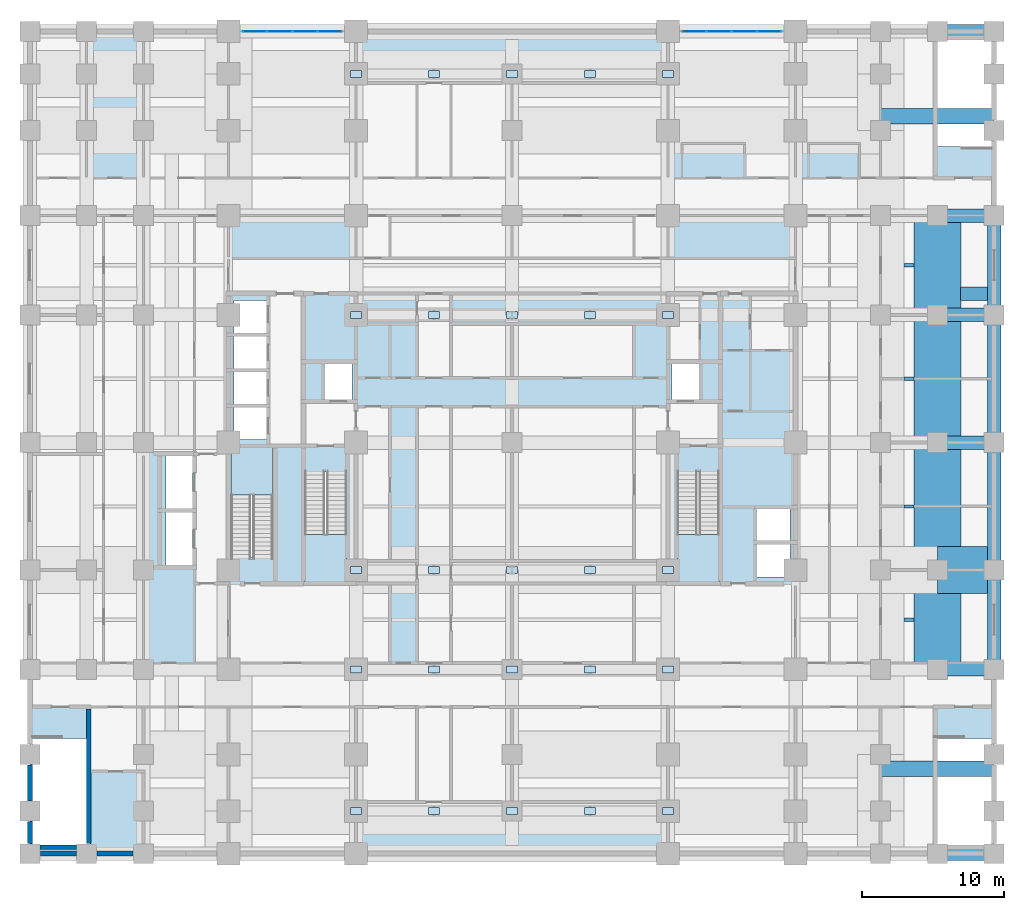
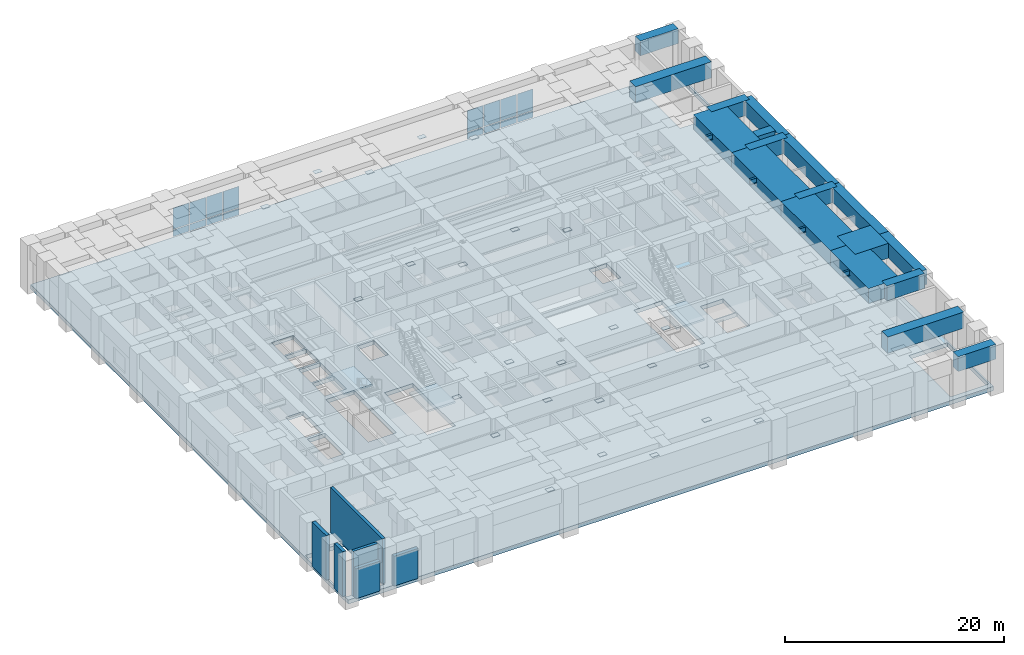
# One storey, part 6 of 22: 41 plates, 22 beams, 6 walls, 4 slabs, 5 elements without a shape of their own.
"""IFC4 building model written with IfcOpenShell, lengths in metres."""

from ifc_helpers import new_model, si_unit, direction, frame, frame_2d, origin, origin_2d, place, context, subcontext, project, spatial, polyline, rectangle, i_section, outline, extrude, material, layer, layer_set, material_profile, profile_set, type_object, element, aggregate, save


model = new_model("IFC4")

# Units and contexts
model_context = context("Model", 3, precision=1e-05, world=origin(), true_north=direction((0.0, 1.0)))
body_context = subcontext(model_context, "Body", "Model", "MODEL_VIEW")
ifc_project = project(units=[si_unit("LENGTHUNIT", "METRE"), si_unit("AREAUNIT", "SQUARE_METRE"), si_unit("VOLUMEUNIT", "CUBIC_METRE"), si_unit("PLANEANGLEUNIT", "RADIAN"), si_unit("MASSUNIT", "GRAM", prefix="KILO")], contexts=[model_context])

# Site, building, storey
site_placement = place(None, origin())
site = spatial("IfcSite", under=ifc_project, at=site_placement, CompositionType="ELEMENT")
building_placement = place(site_placement, origin())
building = spatial("IfcBuilding", under=site, at=building_placement, Name="Zulmaris Gate Convention Tower", CompositionType="ELEMENT")
storey_placement = place(building_placement, frame((0.0, 0.0, 21.760009765625)))
storey = spatial("IfcBuildingStorey", under=building, at=storey_placement, Name="L04", CompositionType="ELEMENT", Elevation=21.760009765625)

# Beams
ifc_material_1 = material(Name="Concrete C80/95", Category="concrete")
ifc_material_profile_1 = material_profile(ifc_material_1, rectangle(XDim=0.949951171875, YDim=1.64990234375, at=origin_2d()), Name="RC TRANSFER 950x1650")
ifc_profile_set_1 = profile_set([ifc_material_profile_1], Name="Concrete C80/95")
beam_type_1 = type_object("IfcBeamType", Name="BM-XFER1650", PredefinedType="BEAM", material=ifc_profile_set_1)
for number, where, z_axis, x_axis, name in (
    (1, (30.0, -29.0, 4.1650390625), (1.0, 0.0, 0.0), (0.0, 1.0, 0.0), "L04 Beam XFRNGX-L04--29.0-9"),
    (2, (30.0, 29.0, 4.1650390625), (1.0, 0.0, 0.0), (0.0, 1.0, 0.0), "L04 Beam XFRNGX-L04-+29.0-9"),
):
    element("IfcBeam", number, at=place(storey_placement, frame(where, z_axis=z_axis, x_axis=x_axis)), inside=storey, type_object=beam_type_1, Name=name, PredefinedType="BEAM", context=body_context, shape_type="SweptSolid", body=[
        extrude(rectangle(XDim=0.949951171875, YDim=1.64990234375, at=origin_2d()), origin(), (0.0, 0.0, 1.0), 4.0),
    ])
beam_1_placement = place(storey_placement, frame((34.0, -16.0, 4.1650390625), z_axis=(0.0, 1.0, 0.0), x_axis=(-1.0, 0.0, 0.0)))
element("IfcBeam", 3, at=beam_1_placement, inside=storey, type_object=beam_type_1, Name="L04 Beam XFRNGY-L04-+34.0-4", PredefinedType="BEAM", context=body_context, shape_type="SweptSolid", body=[
    extrude(rectangle(XDim=0.949951171875, YDim=1.64990234375, at=origin_2d()), origin(), (0.0, 0.0, 1.0), 7.0),
])
for number, where, z_axis, x_axis, name in (
    (4, (34.0, -9.0, 4.1650390625), (0.0, 1.0, 0.0), (-1.0, 0.0, 0.0), "L04 Beam XFRNGY-L04-+34.0-5"),
    (5, (34.0, 0.0, 4.1650390625), (0.0, 1.0, 0.0), (-1.0, 0.0, 0.0), "L04 Beam XFRNGY-L04-+34.0-6"),
):
    element("IfcBeam", number, at=place(storey_placement, frame(where, z_axis=z_axis, x_axis=x_axis)), inside=storey, type_object=beam_type_1, Name=name, PredefinedType="BEAM", context=body_context, shape_type="SweptSolid", body=[
        extrude(rectangle(XDim=0.949951171875, YDim=1.64990234375, at=origin_2d()), origin(), (0.0, 0.0, 1.0), 9.0),
    ])
beam_2_placement = place(storey_placement, frame((34.0, 9.0, 4.1650390625), z_axis=(0.0, 1.0, 0.0), x_axis=(-1.0, 0.0, 0.0)))
element("IfcBeam", 6, at=beam_2_placement, inside=storey, type_object=beam_type_1, Name="L04 Beam XFRNGY-L04-+34.0-7", PredefinedType="BEAM", context=body_context, shape_type="SweptSolid", body=[
    extrude(rectangle(XDim=0.949951171875, YDim=1.64990234375, at=origin_2d()), origin(), (0.0, 0.0, 1.0), 7.0),
])
for number, where, z_axis, x_axis, name in (
    (7, (30.0, -16.0, 4.1650390625), (1.0, 0.0, 0.0), (0.0, 1.0, 0.0), "L04 Beam XFSPX-L04--16.0-10"),
    (8, (30.0, 0.0, 4.1650390625), (1.0, 0.0, 0.0), (0.0, 1.0, 0.0), "L04 Beam XFSPX-L04-+0.0-10"),
    (9, (30.0, 9.0, 4.1650390625), (1.0, 0.0, 0.0), (0.0, 1.0, 0.0), "L04 Beam XFSPX-L04-+9.0-10"),
    (10, (30.0, 16.0, 4.1650390625), (1.0, 0.0, 0.0), (0.0, 1.0, 0.0), "L04 Beam XFSPX-L04-+16.0-10"),
):
    element("IfcBeam", number, at=place(storey_placement, frame(where, z_axis=z_axis, x_axis=x_axis)), inside=storey, type_object=beam_type_1, Name=name, PredefinedType="BEAM", context=body_context, shape_type="SweptSolid", body=[
        extrude(rectangle(XDim=0.949951171875, YDim=1.64990234375, at=origin_2d()), origin(), (0.0, 0.0, 1.0), 4.0),
    ])
beam_3_placement = place(storey_placement, frame((31.637939453125, 10.5, 4.1650390625), z_axis=(1.0, 0.0, 0.0), x_axis=(0.0, 1.0, 0.0)))
element("IfcBeam", 11, at=beam_3_placement, inside=storey, type_object=beam_type_1, Name="L04 Beam XFERX-L04-+10.50-9", PredefinedType="BEAM", context=body_context, shape_type="SweptSolid", body=[
    extrude(rectangle(XDim=0.949951171875, YDim=1.64990234375, at=origin_2d()), origin(), (0.0, 0.0, 1.0), 1.899169921875),
])
ifc_material_profile_2 = material_profile(ifc_material_1, rectangle(XDim=1.10009765625, YDim=1.800048828125, at=origin_2d()), Name="RC TRANSFER 1100x1800")
ifc_profile_set_2 = profile_set([ifc_material_profile_2], Name="Concrete C80/95")
beam_type_2 = type_object("IfcBeamType", Name="BM-XFER1800", PredefinedType="BEAM", material=ifc_profile_set_2)
for number, where, z_axis, x_axis, name in (
    (12, (26.0, -23.0, 4.090087890625), (1.0, 0.0, 0.0), (0.0, 1.0, 0.0), "L04 Beam XFL04-E23-S"),
    (13, (26.0, 23.0, 4.090087890625), (1.0, 0.0, 0.0), (0.0, 1.0, 0.0), "L04 Beam XFL04-E23-N"),
):
    element("IfcBeam", number, at=place(storey_placement, frame(where, z_axis=z_axis, x_axis=x_axis)), inside=storey, type_object=beam_type_2, Name=name, PredefinedType="BEAM", context=body_context, shape_type="SweptSolid", body=[
        extrude(rectangle(XDim=1.10009765625, YDim=1.800048828125, at=origin_2d()), origin(), (0.0, 0.0, 1.0), 8.0),
    ])
ifc_material_profile_3 = material_profile(ifc_material_1, rectangle(XDim=3.300048828125, YDim=1.64990234375, at=origin_2d()), Name="RC TRANSFER 3300x1650")
ifc_profile_set_3 = profile_set([ifc_material_profile_3], Name="Concrete C80/95")
beam_type_3 = type_object("IfcBeamType", Name="BM-XFERCAP", PredefinedType="BEAM", material=ifc_profile_set_3)
beam_4_placement = place(storey_placement, frame((30.0, -16.0, 4.1650390625), z_axis=(0.0, 1.0, 0.0), x_axis=(-1.0, 0.0, 0.0)))
element("IfcBeam", 14, at=beam_4_placement, inside=storey, type_object=beam_type_3, Name="L04 Beam XFSPY-L04-+30.0-2", PredefinedType="BEAM", context=body_context, shape_type="SweptSolid", body=[
    extrude(rectangle(XDim=3.300048828125, YDim=1.64990234375, at=origin_2d()), origin(), (0.0, 0.0, 1.0), 7.0),
])
for number, where, z_axis, x_axis, name in (
    (15, (30.0, -9.0, 4.1650390625), (0.0, 1.0, 0.0), (-1.0, 0.0, 0.0), "L04 Beam XFSPY-L04-+30.0-3"),
    (16, (30.0, 0.0, 4.1650390625), (0.0, 1.0, 0.0), (-1.0, 0.0, 0.0), "L04 Beam XFSPY-L04-+30.0-4"),
):
    element("IfcBeam", number, at=place(storey_placement, frame(where, z_axis=z_axis, x_axis=x_axis)), inside=storey, type_object=beam_type_3, Name=name, PredefinedType="BEAM", context=body_context, shape_type="SweptSolid", body=[
        extrude(rectangle(XDim=3.300048828125, YDim=1.64990234375, at=origin_2d()), origin(), (0.0, 0.0, 1.0), 9.0),
    ])
beam_5_placement = place(storey_placement, frame((30.0, 9.0, 4.1650390625), z_axis=(0.0, 1.0, 0.0), x_axis=(-1.0, 0.0, 0.0)))
element("IfcBeam", 17, at=beam_5_placement, inside=storey, type_object=beam_type_3, Name="L04 Beam XFSPY-L04-+30.0-5", PredefinedType="BEAM", context=body_context, shape_type="SweptSolid", body=[
    extrude(rectangle(XDim=3.300048828125, YDim=1.64990234375, at=origin_2d()), origin(), (0.0, 0.0, 1.0), 7.0),
])
beam_6_placement = place(storey_placement, frame((30.0, -9.0, 4.1650390625), z_axis=(1.0, 0.0, 0.0), x_axis=(0.0, 1.0, 0.0)))
element("IfcBeam", 18, at=beam_6_placement, inside=storey, type_object=beam_type_3, Name="L04 Beam XFSPX-L04--9.0-10", PredefinedType="BEAM", context=body_context, shape_type="SweptSolid", body=[
    extrude(rectangle(XDim=3.300048828125, YDim=1.64990234375, at=origin_2d()), origin(), (0.0, 0.0, 1.0), 4.0),
])
ifc_material_2 = material(Name="Steel S355", Category="steel")
ifc_material_profile_4 = material_profile(ifc_material_2, i_section(OverallWidth=0.219970703125, OverallDepth=0.60009765625, WebThickness=0.011962890625, FlangeThickness=0.01904296875, FilletRadius=0.02392578125, at=origin_2d()), Name="IPE 600")
ifc_profile_set_4 = profile_set([ifc_material_profile_4], Name="Steel S355")
beam_type_4 = type_object("IfcBeamType", Name="JT-IPE600", PredefinedType="JOIST", material=ifc_profile_set_4)
for number, where, z_axis, x_axis, name in (
    (19, (27.64990234375, -12.5, 4.68798828125), (1.0, 0.0, 0.0), (0.0, 1.0, 0.0), "L04 Joist JT-L04-+26_+30--12.5"),
    (20, (27.64990234375, -4.5, 4.68798828125), (1.0, 0.0, 0.0), (0.0, 1.0, 0.0), "L04 Joist JT-L04-+26_+30--4.5"),
    (21, (27.64990234375, 4.5, 4.68798828125), (1.0, 0.0, 0.0), (0.0, 1.0, 0.0), "L04 Joist JT-L04-+26_+30-+4.5"),
    (22, (27.64990234375, 12.5, 4.68798828125), (1.0, 0.0, 0.0), (0.0, 1.0, 0.0), "L04 Joist JT-L04-+26_+30-+12.5"),
):
    element("IfcBeam", number, at=place(storey_placement, frame(where, z_axis=z_axis, x_axis=x_axis)), inside=storey, type_object=beam_type_4, Name=name, PredefinedType="JOIST", context=body_context, shape_type="SweptSolid", body=[
        extrude(i_section(OverallWidth=0.219970703125, OverallDepth=0.60009765625, WebThickness=0.011962890625, FlangeThickness=0.01904296875, FilletRadius=0.02392578125, at=origin_2d()), origin(), (0.0, 0.0, 1.0), 0.7001953125),
    ])

# Curtain wall, plates
ifc_material_3 = material(Name="Anodised Aluminium", Category="aluminium")
curtain_wall_type = type_object("IfcCurtainWallType", Name="CW-03", PredefinedType="NOTDEFINED", material=ifc_material_3)
curtain_wall_1_placement = place(storey_placement, origin())
curtain_wall_1 = element("IfcCurtainWall", 23, at=curtain_wall_1_placement, inside=storey, type_object=curtain_wall_type, Name="CW-03 CW03-L04-N-20_0", PredefinedType="NOTDEFINED")
ifc_material_4 = material(Name="Low-E Double Glazing", Category="glass")
ifc_layer_1 = layer(ifc_material_4, 0.028076171875, Name="Low-E Double Glazing")
ifc_layer_set_1 = layer_set([ifc_layer_1], Name="Low-E Double Glazing")
plate_type_1 = type_object("IfcPlateType", Name="CW-03-VISION", PredefinedType="CURTAIN_PANEL", material=ifc_layer_set_1)
plate_1_placement = place(storey_placement, frame((-12.86376953125, 29.0, 0.0751953125), z_axis=(0.0, 0.0, 1.0), x_axis=(-1.0, 0.0, 0.0)))
plate_1 = element("IfcPlate", 24, at=plate_1_placement, type_object=plate_type_1, Name="CW-03 panel 1.1", PredefinedType="CURTAIN_PANEL", context=body_context, shape_type="SweptSolid", body=[
    extrude(rectangle(XDim=1.657470703125, YDim=0.028076171875, at=origin_2d()), origin(), (0.0, 0.0, 1.0), 0.737548828125),
])
plate_2_placement = place(storey_placement, frame((-12.86376953125, 29.0, 0.8876953125), z_axis=(0.0, 0.0, 1.0), x_axis=(-1.0, 0.0, 0.0)))
plate_2 = element("IfcPlate", 25, at=plate_2_placement, type_object=plate_type_1, Name="CW-03 panel 1.2", PredefinedType="CURTAIN_PANEL", context=body_context, shape_type="SweptSolid", body=[
    extrude(rectangle(XDim=1.657470703125, YDim=0.028076171875, at=origin_2d()), origin(), (0.0, 0.0, 1.0), 2.369384765625),
])
plate_3_placement = place(storey_placement, frame((-14.614990234375, 29.0, 0.0751953125), z_axis=(0.0, 0.0, 1.0), x_axis=(-1.0, 0.0, 0.0)))
plate_3 = element("IfcPlate", 26, at=plate_3_placement, type_object=plate_type_1, Name="CW-03 panel 2.1", PredefinedType="CURTAIN_PANEL", context=body_context, shape_type="SweptSolid", body=[
    extrude(rectangle(XDim=1.695068359375, YDim=0.028076171875, at=origin_2d()), origin(), (0.0, 0.0, 1.0), 0.737548828125),
])
plate_4_placement = place(storey_placement, frame((-14.614990234375, 29.0, 0.8876953125), z_axis=(0.0, 0.0, 1.0), x_axis=(-1.0, 0.0, 0.0)))
plate_4 = element("IfcPlate", 27, at=plate_4_placement, type_object=plate_type_1, Name="CW-03 panel 2.2", PredefinedType="CURTAIN_PANEL", context=body_context, shape_type="SweptSolid", body=[
    extrude(rectangle(XDim=1.695068359375, YDim=0.028076171875, at=origin_2d()), origin(), (0.0, 0.0, 1.0), 2.369384765625),
])
plate_5_placement = place(storey_placement, frame((-16.385009765625, 29.0, 0.0751953125), z_axis=(0.0, 0.0, 1.0), x_axis=(-1.0, 0.0, 0.0)))
plate_5 = element("IfcPlate", 28, at=plate_5_placement, type_object=plate_type_1, Name="CW-03 panel 3.1", PredefinedType="CURTAIN_PANEL", context=body_context, shape_type="SweptSolid", body=[
    extrude(rectangle(XDim=1.695068359375, YDim=0.028076171875, at=origin_2d()), origin(), (0.0, 0.0, 1.0), 0.737548828125),
])
plate_6_placement = place(storey_placement, frame((-16.385009765625, 29.0, 0.8876953125), z_axis=(0.0, 0.0, 1.0), x_axis=(-1.0, 0.0, 0.0)))
plate_6 = element("IfcPlate", 29, at=plate_6_placement, type_object=plate_type_1, Name="CW-03 panel 3.2", PredefinedType="CURTAIN_PANEL", context=body_context, shape_type="SweptSolid", body=[
    extrude(rectangle(XDim=1.695068359375, YDim=0.028076171875, at=origin_2d()), origin(), (0.0, 0.0, 1.0), 2.369384765625),
])
plate_7_placement = place(storey_placement, frame((-18.13623046875, 29.0, 0.0751953125), z_axis=(0.0, 0.0, 1.0), x_axis=(-1.0, 0.0, 0.0)))
plate_7 = element("IfcPlate", 30, at=plate_7_placement, type_object=plate_type_1, Name="CW-03 panel 4.1", PredefinedType="CURTAIN_PANEL", context=body_context, shape_type="SweptSolid", body=[
    extrude(rectangle(XDim=1.657470703125, YDim=0.028076171875, at=origin_2d()), origin(), (0.0, 0.0, 1.0), 0.737548828125),
])
plate_8_placement = place(storey_placement, frame((-18.13623046875, 29.0, 0.8876953125), z_axis=(0.0, 0.0, 1.0), x_axis=(-1.0, 0.0, 0.0)))
plate_8 = element("IfcPlate", 31, at=plate_8_placement, type_object=plate_type_1, Name="CW-03 panel 4.2", PredefinedType="CURTAIN_PANEL", context=body_context, shape_type="SweptSolid", body=[
    extrude(rectangle(XDim=1.657470703125, YDim=0.028076171875, at=origin_2d()), origin(), (0.0, 0.0, 1.0), 2.369384765625),
])
aggregate(curtain_wall_1, [plate_1, plate_2, plate_3, plate_4, plate_5, plate_6, plate_7, plate_8])

curtain_wall_2_placement = place(storey_placement, origin())
curtain_wall_2 = element("IfcCurtainWall", 32, at=curtain_wall_2_placement, inside=storey, type_object=curtain_wall_type, Name="CW-03 CW03-L04-N11_0", PredefinedType="NOTDEFINED")
plate_9_placement = place(storey_placement, frame((18.13623046875, 29.0, 0.0751953125), z_axis=(0.0, 0.0, 1.0), x_axis=(-1.0, 0.0, 0.0)))
plate_9 = element("IfcPlate", 33, at=plate_9_placement, type_object=plate_type_1, Name="CW-03 panel 1.1", PredefinedType="CURTAIN_PANEL", context=body_context, shape_type="SweptSolid", body=[
    extrude(rectangle(XDim=1.657470703125, YDim=0.028076171875, at=origin_2d()), origin(), (0.0, 0.0, 1.0), 0.737548828125),
])
plate_10_placement = place(storey_placement, frame((18.13623046875, 29.0, 0.8876953125), z_axis=(0.0, 0.0, 1.0), x_axis=(-1.0, 0.0, 0.0)))
plate_10 = element("IfcPlate", 34, at=plate_10_placement, type_object=plate_type_1, Name="CW-03 panel 1.2", PredefinedType="CURTAIN_PANEL", context=body_context, shape_type="SweptSolid", body=[
    extrude(rectangle(XDim=1.657470703125, YDim=0.028076171875, at=origin_2d()), origin(), (0.0, 0.0, 1.0), 2.369384765625),
])
plate_11_placement = place(storey_placement, frame((16.385009765625, 29.0, 0.0751953125), z_axis=(0.0, 0.0, 1.0), x_axis=(-1.0, 0.0, 0.0)))
plate_11 = element("IfcPlate", 35, at=plate_11_placement, type_object=plate_type_1, Name="CW-03 panel 2.1", PredefinedType="CURTAIN_PANEL", context=body_context, shape_type="SweptSolid", body=[
    extrude(rectangle(XDim=1.695068359375, YDim=0.028076171875, at=origin_2d()), origin(), (0.0, 0.0, 1.0), 0.737548828125),
])
plate_12_placement = place(storey_placement, frame((16.385009765625, 29.0, 0.8876953125), z_axis=(0.0, 0.0, 1.0), x_axis=(-1.0, 0.0, 0.0)))
plate_12 = element("IfcPlate", 36, at=plate_12_placement, type_object=plate_type_1, Name="CW-03 panel 2.2", PredefinedType="CURTAIN_PANEL", context=body_context, shape_type="SweptSolid", body=[
    extrude(rectangle(XDim=1.695068359375, YDim=0.028076171875, at=origin_2d()), origin(), (0.0, 0.0, 1.0), 2.369384765625),
])
plate_13_placement = place(storey_placement, frame((14.614990234375, 29.0, 0.0751953125), z_axis=(0.0, 0.0, 1.0), x_axis=(-1.0, 0.0, 0.0)))
plate_13 = element("IfcPlate", 37, at=plate_13_placement, type_object=plate_type_1, Name="CW-03 panel 3.1", PredefinedType="CURTAIN_PANEL", context=body_context, shape_type="SweptSolid", body=[
    extrude(rectangle(XDim=1.695068359375, YDim=0.028076171875, at=origin_2d()), origin(), (0.0, 0.0, 1.0), 0.737548828125),
])
plate_14_placement = place(storey_placement, frame((14.614990234375, 29.0, 0.8876953125), z_axis=(0.0, 0.0, 1.0), x_axis=(-1.0, 0.0, 0.0)))
plate_14 = element("IfcPlate", 38, at=plate_14_placement, type_object=plate_type_1, Name="CW-03 panel 3.2", PredefinedType="CURTAIN_PANEL", context=body_context, shape_type="SweptSolid", body=[
    extrude(rectangle(XDim=1.695068359375, YDim=0.028076171875, at=origin_2d()), origin(), (0.0, 0.0, 1.0), 2.369384765625),
])
plate_15_placement = place(storey_placement, frame((12.86376953125, 29.0, 0.0751953125), z_axis=(0.0, 0.0, 1.0), x_axis=(-1.0, 0.0, 0.0)))
plate_15 = element("IfcPlate", 39, at=plate_15_placement, type_object=plate_type_1, Name="CW-03 panel 4.1", PredefinedType="CURTAIN_PANEL", context=body_context, shape_type="SweptSolid", body=[
    extrude(rectangle(XDim=1.657470703125, YDim=0.028076171875, at=origin_2d()), origin(), (0.0, 0.0, 1.0), 0.737548828125),
])
plate_16_placement = place(storey_placement, frame((12.86376953125, 29.0, 0.8876953125), z_axis=(0.0, 0.0, 1.0), x_axis=(-1.0, 0.0, 0.0)))
plate_16 = element("IfcPlate", 40, at=plate_16_placement, type_object=plate_type_1, Name="CW-03 panel 4.2", PredefinedType="CURTAIN_PANEL", context=body_context, shape_type="SweptSolid", body=[
    extrude(rectangle(XDim=1.657470703125, YDim=0.028076171875, at=origin_2d()), origin(), (0.0, 0.0, 1.0), 2.369384765625),
])
aggregate(curtain_wall_2, [plate_9, plate_10, plate_11, plate_12, plate_13, plate_14, plate_15, plate_16])

# Plates
ifc_material_5 = material(Name="Steel S460", Category="steel")
ifc_layer_2 = layer(ifc_material_5, 0.034912109375, Name="Steel S460")
ifc_layer_set_2 = layer_set([ifc_layer_2], Name="Steel S460")
plate_type_2 = type_object("IfcPlateType", Name="NP-GUS-750", PredefinedType="USERDEFINED", material=ifc_layer_set_2)
for number, where, z_axis, x_axis, name in (
    (41, (-11.0, -26.0, 2.4326171875), (0.0, 0.0, 1.0), (1.0, 0.0, 0.0), "L04 Steel Node Plate TR-L04-D1--26-CAP0"),
    (42, (-5.5, -26.0, 4.42236328125), (0.0, 0.0, 1.0), (1.0, 0.0, 0.0), "L04 Steel Node Plate TR-L04-D1--26-CAP1"),
    (43, (0.0, -26.0, 2.4326171875), (0.0, 0.0, 1.0), (1.0, 0.0, 0.0), "L04 Steel Node Plate TR-L04-D2--26-CAP1"),
    (44, (5.5, -26.0, 4.42236328125), (0.0, 0.0, 1.0), (1.0, 0.0, 0.0), "L04 Steel Node Plate TR-L04-D3--26-CAP1"),
    (45, (11.0, -26.0, 2.4326171875), (0.0, 0.0, 1.0), (1.0, 0.0, 0.0), "L04 Steel Node Plate TR-L04-D4--26-CAP1"),
    (46, (-11.0, -16.0, 2.4326171875), (0.0, 0.0, 1.0), (1.0, 0.0, 0.0), "L04 Steel Node Plate TR-L04-D1--16-CAP0"),
    (47, (-5.5, -16.0, 4.42236328125), (0.0, 0.0, 1.0), (1.0, 0.0, 0.0), "L04 Steel Node Plate TR-L04-D1--16-CAP1"),
    (48, (0.0, -16.0, 2.4326171875), (0.0, 0.0, 1.0), (1.0, 0.0, 0.0), "L04 Steel Node Plate TR-L04-D2--16-CAP1"),
    (49, (5.5, -16.0, 4.42236328125), (0.0, 0.0, 1.0), (1.0, 0.0, 0.0), "L04 Steel Node Plate TR-L04-D3--16-CAP1"),
    (50, (11.0, -16.0, 2.4326171875), (0.0, 0.0, 1.0), (1.0, 0.0, 0.0), "L04 Steel Node Plate TR-L04-D4--16-CAP1"),
    (51, (-11.0, -9.0, 2.4326171875), (0.0, 0.0, 1.0), (1.0, 0.0, 0.0), "L04 Steel Node Plate TR-L04-D1--9-CAP0"),
    (52, (-5.5, -9.0, 4.42236328125), (0.0, 0.0, 1.0), (1.0, 0.0, 0.0), "L04 Steel Node Plate TR-L04-D1--9-CAP1"),
    (53, (0.0, -9.0, 2.4326171875), (0.0, 0.0, 1.0), (1.0, 0.0, 0.0), "L04 Steel Node Plate TR-L04-D2--9-CAP1"),
    (54, (5.5, -9.0, 4.42236328125), (0.0, 0.0, 1.0), (1.0, 0.0, 0.0), "L04 Steel Node Plate TR-L04-D3--9-CAP1"),
    (55, (11.0, -9.0, 2.4326171875), (0.0, 0.0, 1.0), (1.0, 0.0, 0.0), "L04 Steel Node Plate TR-L04-D4--9-CAP1"),
    (56, (-11.0, 9.0, 2.4326171875), (0.0, 0.0, 1.0), (1.0, 0.0, 0.0), "L04 Steel Node Plate TR-L04-D1-+9-CAP0"),
    (57, (-5.5, 9.0, 4.42236328125), (0.0, 0.0, 1.0), (1.0, 0.0, 0.0), "L04 Steel Node Plate TR-L04-D1-+9-CAP1"),
    (58, (0.0, 9.0, 2.4326171875), (0.0, 0.0, 1.0), (1.0, 0.0, 0.0), "L04 Steel Node Plate TR-L04-D2-+9-CAP1"),
    (59, (5.5, 9.0, 4.42236328125), (0.0, 0.0, 1.0), (1.0, 0.0, 0.0), "L04 Steel Node Plate TR-L04-D3-+9-CAP1"),
    (60, (11.0, 9.0, 2.4326171875), (0.0, 0.0, 1.0), (1.0, 0.0, 0.0), "L04 Steel Node Plate TR-L04-D4-+9-CAP1"),
    (61, (-11.0, 26.0, 2.4326171875), (0.0, 0.0, 1.0), (1.0, 0.0, 0.0), "L04 Steel Node Plate TR-L04-D1-+26-CAP0"),
    (62, (-5.5, 26.0, 4.42236328125), (0.0, 0.0, 1.0), (1.0, 0.0, 0.0), "L04 Steel Node Plate TR-L04-D1-+26-CAP1"),
    (63, (0.0, 26.0, 2.4326171875), (0.0, 0.0, 1.0), (1.0, 0.0, 0.0), "L04 Steel Node Plate TR-L04-D2-+26-CAP1"),
    (64, (5.5, 26.0, 4.42236328125), (0.0, 0.0, 1.0), (1.0, 0.0, 0.0), "L04 Steel Node Plate TR-L04-D3-+26-CAP1"),
    (65, (11.0, 26.0, 2.4326171875), (0.0, 0.0, 1.0), (1.0, 0.0, 0.0), "L04 Steel Node Plate TR-L04-D4-+26-CAP1"),
):
    element("IfcPlate", number, at=place(storey_placement, frame(where, z_axis=z_axis, x_axis=x_axis)), inside=storey, type_object=plate_type_2, Name=name, ObjectType="GUSSET PLATE", PredefinedType="USERDEFINED", context=body_context, shape_type="SweptSolid", body=[
        extrude(rectangle(XDim=0.75, YDim=0.5, at=origin_2d()), origin(), (0.0, 0.0, 1.0), 0.034912109375),
    ])

# Slab
ifc_material_6 = material(Name="Concrete C60/75", Category="concrete")
ifc_layer_3 = layer(ifc_material_6, 0.449951171875, Name="Concrete C60/75")
ifc_layer_set_3 = layer_set([ifc_layer_3], Name="Concrete C60/75")
slab_type_1 = type_object("IfcSlabType", Name="SL-FLR-450", PredefinedType="FLOOR", material=ifc_layer_set_3)
slab_1_placement = place(storey_placement, frame((0.0, 0.0, -0.449951171875)))
element("IfcSlab", 66, at=slab_1_placement, inside=storey, type_object=slab_type_1, Name="L04 Convention Transfer Floor Slab", PredefinedType="FLOOR", context=body_context, shape_type="SweptSolid", body=[
    extrude(outline(polyline([(-34.0, -29.0), (34.0, -29.0), (34.0, 29.0), (-34.0, 29.0), (-34.0, -29.0)]), holes=[polyline([(-14.6201171875, -2.080078125), (-14.6201171875, -9.85009765625), (-11.659912109375, -9.85009765625), (-11.659912109375, -2.080078125), (-14.6201171875, -2.080078125)]), polyline([(11.659912109375, -2.080078125), (11.659912109375, -9.85009765625), (14.6201171875, -9.85009765625), (14.6201171875, -2.080078125), (11.659912109375, -2.080078125)]), polyline([(-16.860107421875, -8.1201171875), (-16.860107421875, -0.35009765625), (-19.820068359375, -0.35009765625), (-19.820068359375, -8.1201171875), (-16.860107421875, -8.1201171875)]), polyline([(-33.830078125, -20.8798828125), (-33.830078125, -28.449951171875), (-29.780029296875, -28.449951171875), (-29.780029296875, -20.8798828125), (-33.830078125, -20.8798828125)]), polyline([(33.830078125, 20.8798828125), (33.830078125, 28.449951171875), (29.780029296875, 28.449951171875), (29.780029296875, 20.8798828125), (33.830078125, 20.8798828125)]), polyline([(29.780029296875, -20.8798828125), (29.780029296875, -28.449951171875), (33.830078125, -28.449951171875), (33.830078125, -20.8798828125), (29.780029296875, -20.8798828125)]), polyline([(-13.199951171875, 3.0), (-11.300048828125, 3.0), (-11.300048828125, 5.60009765625), (-13.199951171875, 5.60009765625), (-13.199951171875, 3.0)]), polyline([(11.300048828125, 3.0), (13.199951171875, 3.0), (13.199951171875, 5.60009765625), (11.300048828125, 5.60009765625), (11.300048828125, 3.0)]), polyline([(-19.60009765625, 0.199951171875), (-17.300048828125, 0.199951171875), (-17.300048828125, 2.5), (-19.60009765625, 2.5), (-19.60009765625, 0.199951171875)]), polyline([(-19.60009765625, 2.699951171875), (-17.300048828125, 2.699951171875), (-17.300048828125, 5.0), (-19.60009765625, 5.0), (-19.60009765625, 2.699951171875)]), polyline([(-19.60009765625, 5.199951171875), (-17.300048828125, 5.199951171875), (-17.300048828125, 7.5), (-19.60009765625, 7.5), (-19.60009765625, 5.199951171875)]), polyline([(-19.60009765625, 7.699951171875), (-17.300048828125, 7.699951171875), (-17.300048828125, 10.0), (-19.60009765625, 10.0), (-19.60009765625, 7.699951171875)]), polyline([(17.199951171875, -9.5), (19.60009765625, -9.5), (19.60009765625, -7.10009765625), (17.199951171875, -7.10009765625), (17.199951171875, -9.5)]), polyline([(17.199951171875, -7.0), (19.60009765625, -7.0), (19.60009765625, -4.60009765625), (17.199951171875, -4.60009765625), (17.199951171875, -7.0)]), polyline([(-24.39990234375, -8.64990234375), (-22.550048828125, -8.64990234375), (-22.550048828125, -4.949951171875), (-24.39990234375, -4.949951171875), (-24.39990234375, -8.64990234375)]), polyline([(-24.39990234375, -4.64990234375), (-22.550048828125, -4.64990234375), (-22.550048828125, -0.949951171875), (-24.39990234375, -0.949951171875), (-24.39990234375, -4.64990234375)])]), origin(), (0.0, 0.0, 1.0), 0.449951171875),
])

# Stair, slab
ifc_material_7 = material(Name="Concrete C45/55", Category="concrete")
stair_type = type_object("IfcStairType", Name="ST-CORE-DOGLEG", PredefinedType="HALF_TURN_STAIR", material=ifc_material_7)
stair_1_placement = place(storey_placement, origin())
stair_1 = element("IfcStair", 67, at=stair_1_placement, inside=storey, type_object=stair_type, Name="L04 Core Exit Stair ST-1", PredefinedType="HALF_TURN_STAIR")
ifc_layer_4 = layer(ifc_material_7, 0.199951171875, Name="Concrete C45/55")
ifc_layer_set_4 = layer_set([ifc_layer_4], Name="Concrete C45/55")
slab_type_2 = type_object("IfcSlabType", Name="SL-LND-200", PredefinedType="LANDING", material=ifc_layer_set_4)
slab_2_placement = place(storey_placement, frame((0.0, 0.0, 2.52001953125)))
slab_2 = element("IfcSlab", 68, at=slab_2_placement, type_object=slab_type_2, Name="ST-1 landing 1", PredefinedType="LANDING", context=body_context, shape_type="SweptSolid", body=[
    extrude(outline(polyline([(-14.6201171875, -6.5), (-14.6201171875, -9.85009765625), (-11.659912109375, -9.85009765625), (-11.659912109375, -6.5), (-14.6201171875, -6.5)])), origin(), (0.0, 0.0, 1.0), 0.199951171875),
])
aggregate(stair_1, [slab_2])

stair_2_placement = place(storey_placement, origin())
stair_2 = element("IfcStair", 69, at=stair_2_placement, inside=storey, type_object=stair_type, Name="L04 Core Exit Stair ST-2", PredefinedType="HALF_TURN_STAIR")
slab_3_placement = place(storey_placement, frame((0.0, 0.0, 2.52001953125)))
slab_3 = element("IfcSlab", 70, at=slab_3_placement, type_object=slab_type_2, Name="ST-2 landing 1", PredefinedType="LANDING", context=body_context, shape_type="SweptSolid", body=[
    extrude(outline(polyline([(11.659912109375, -6.5), (11.659912109375, -9.85009765625), (14.6201171875, -9.85009765625), (14.6201171875, -6.5), (11.659912109375, -6.5)])), origin(), (0.0, 0.0, 1.0), 0.199951171875),
])
aggregate(stair_2, [slab_3])

stair_3_placement = place(storey_placement, origin())
stair_3 = element("IfcStair", 71, at=stair_3_placement, inside=storey, type_object=stair_type, Name="L04 Core Exit Stair ST-3", PredefinedType="HALF_TURN_STAIR")
slab_4_placement = place(storey_placement, frame((0.0, 0.0, 2.52001953125)))
slab_4 = element("IfcSlab", 72, at=slab_4_placement, type_object=slab_type_2, Name="ST-3 landing 1", PredefinedType="LANDING", context=body_context, shape_type="SweptSolid", body=[
    extrude(outline(polyline([(-16.860107421875, -3.699951171875), (-16.860107421875, -0.35009765625), (-19.820068359375, -0.35009765625), (-19.820068359375, -3.699951171875), (-16.860107421875, -3.699951171875)])), origin(), (0.0, 0.0, 1.0), 0.199951171875),
])
aggregate(stair_3, [slab_4])

# Walls
ifc_material_8 = material(Name="Concrete C50/60", Category="concrete")
ifc_layer_5 = layer(ifc_material_8, 0.300048828125, Name="Concrete C50/60")
ifc_layer_set_5 = layer_set([ifc_layer_5], Name="Concrete C50/60")
wall_type_1 = type_object("IfcWallType", Name="CORE-300", PredefinedType="SHEAR", material=ifc_layer_set_5)
wall_1_placement = place(storey_placement, frame((-33.2958984375, -28.550048828125, 0.0), z_axis=(0.0, 0.0, 1.0), x_axis=(1.0, 0.0, 0.0)))
element("IfcWall", 73, at=wall_1_placement, inside=storey, type_object=wall_type_1, Name="WL-L04-001", PredefinedType="SHEAR", context=body_context, shape_type="SweptSolid", body=[
    extrude(rectangle(XDim=2.591796875, YDim=0.300048828125, at=frame_2d((1.2958984375, 0.0))), origin(), (0.0, 0.0, 1.0), 4.989990234375),
])
wall_2_placement = place(storey_placement, frame((-29.85009765625, -28.2958984375, 0.0), z_axis=(0.0, 0.0, 1.0), x_axis=(0.0, 1.0, 0.0)))
element("IfcWall", 74, at=wall_2_placement, inside=storey, type_object=wall_type_1, Name="WL-L04-073", PredefinedType="SHEAR", context=body_context, shape_type="SweptSolid", body=[
    extrude(rectangle(XDim=9.493896484375, YDim=0.300048828125, at=frame_2d((4.7470703125, 0.0))), origin(), (0.0, 0.0, 1.0), 4.989990234375),
])
ifc_material_9 = material(Name="Precast concrete C45/55", Category="concrete")
ifc_layer_6 = layer(ifc_material_9, 0.35009765625, Name="Precast concrete C45/55")
ifc_layer_set_6 = layer_set([ifc_layer_6], Name="Precast concrete C45/55")
wall_type_2 = type_object("IfcWallType", Name="PRECAST-POD-350", PredefinedType="STANDARD", material=ifc_layer_set_6)
for number, where, z_axis, x_axis, name in (
    (75, (-33.27001953125, -29.0, 0.0), (0.0, 0.0, 1.0), (1.0, 0.0, 0.0), "EW-L04-S--340_0"),
    (76, (-29.27001953125, -29.0, 0.0), (0.0, 0.0, 1.0), (1.0, 0.0, 0.0), "EW-L04-S--300_0"),
):
    element("IfcWall", number, at=place(storey_placement, frame(where, z_axis=z_axis, x_axis=x_axis)), inside=storey, type_object=wall_type_2, Name=name, PredefinedType="STANDARD", context=body_context, shape_type="SweptSolid", body=[
        extrude(rectangle(XDim=2.5400390625, YDim=0.35009765625, at=frame_2d((1.27001953125, 0.0))), origin(), (0.0, 0.0, 1.0), 3.33203125),
    ])
wall_3_placement = place(storey_placement, frame((-34.0, -28.27001953125, 0.0), z_axis=(0.0, 0.0, 1.0), x_axis=(0.0, 1.0, 0.0)))
element("IfcWall", 77, at=wall_3_placement, inside=storey, type_object=wall_type_2, Name="EW-L04-W--29_0", PredefinedType="STANDARD", context=body_context, shape_type="SweptSolid", body=[
    extrude(rectangle(XDim=1.5400390625, YDim=0.35009765625, at=frame_2d((0.77001953125, 0.0))), origin(), (0.0, 0.0, 1.0), 4.989990234375),
])
wall_4_placement = place(storey_placement, frame((-34.0, -25.27001953125, 0.0), z_axis=(0.0, 0.0, 1.0), x_axis=(0.0, 1.0, 0.0)))
element("IfcWall", 78, at=wall_4_placement, inside=storey, type_object=wall_type_2, Name="EW-L04-W--26_0", PredefinedType="STANDARD", context=body_context, shape_type="SweptSolid", body=[
    extrude(rectangle(XDim=2.5400390625, YDim=0.35009765625, at=frame_2d((1.27001953125, 0.0))), origin(), (0.0, 0.0, 1.0), 4.989990234375),
])

save(model, "model.ifc")
